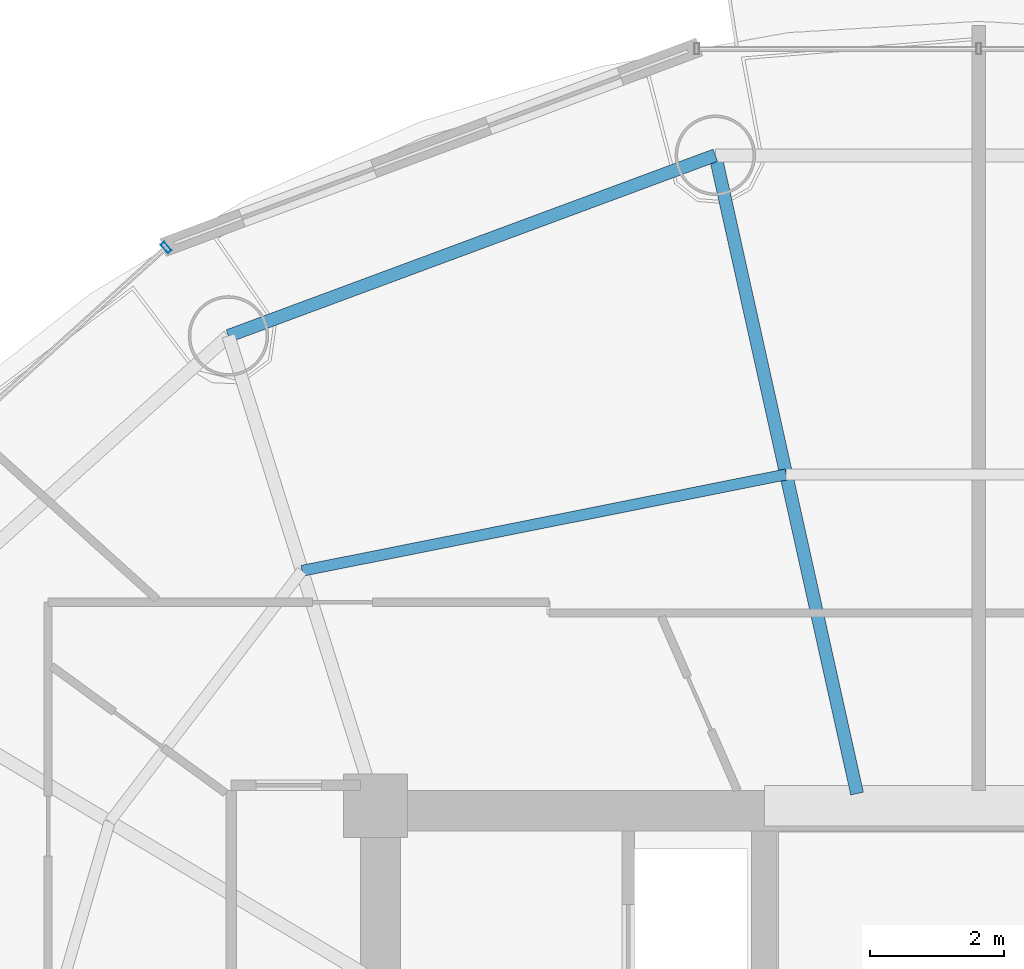
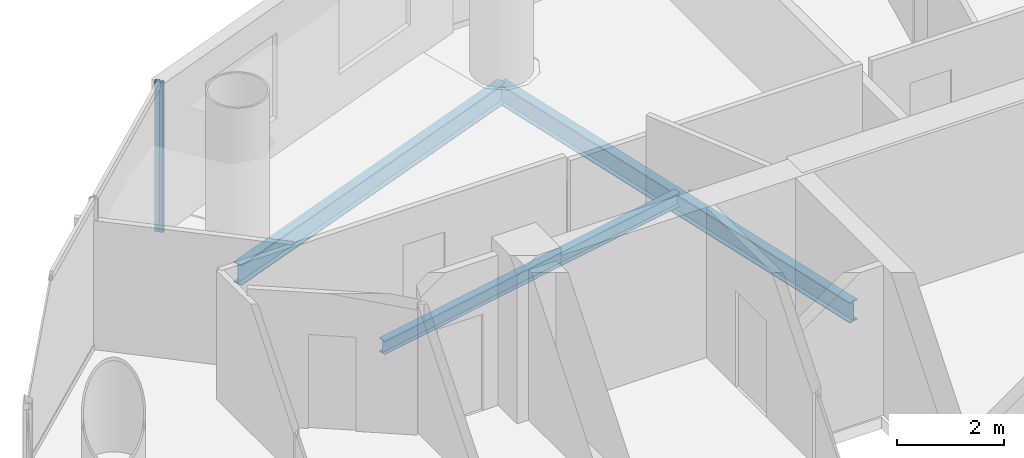
# One storey, part 15 of 27: 3 beams, 1 member, 1 element without a shape of its own.
"""IFC4 building model written with IfcOpenShell, lengths in metres."""

from ifc_helpers import new_model, si_unit, direction, frame, origin, origin_2d, place, context, subcontext, project, spatial, hollow_rectangle, i_section, extrude, source, transform, mapped, material, material_profile, profile_set, type_object, element, aggregate, save


model = new_model("IFC4")

# Units and contexts
model_context = context("Model", 3, precision=1e-05, world=origin(), true_north=direction((-0.2419218956, 0.970295726276)))
body_context = subcontext(model_context, "Body", "Model", "MODEL_VIEW")
ifc_project = project(units=[si_unit("LENGTHUNIT", "METRE"), si_unit("AREAUNIT", "SQUARE_METRE"), si_unit("VOLUMEUNIT", "CUBIC_METRE"), si_unit("PLANEANGLEUNIT", "RADIAN"), si_unit("MASSUNIT", "GRAM", prefix="KILO")], contexts=[model_context])

# Site, building, storey
site_placement = place(None, origin())
site = spatial("IfcSite", under=ifc_project, at=site_placement, CompositionType="ELEMENT")
building_placement = place(site_placement, origin())
building = spatial("IfcBuilding", under=site, at=building_placement, Name="Cobrevalo Terracotta Tower", CompositionType="ELEMENT")
storey_placement = place(building_placement, frame((0.0, 0.0, 194.89990234375)))
storey = spatial("IfcBuildingStorey", under=building, at=storey_placement, Name="L51", CompositionType="ELEMENT", Elevation=194.89990234375)

# Beams
ifc_material_1 = material(Name="Steel S355", Category="steel")
ifc_material_profile_1 = material_profile(ifc_material_1, i_section(OverallWidth=0.194091796875, OverallDepth=0.468994140625, WebThickness=0.011474609375, FlangeThickness=0.0205078125, at=origin_2d()), Name="W 460x106")
ifc_profile_set_1 = profile_set([ifc_material_profile_1], Name="Steel S355")
beam_type_1 = type_object("IfcBeamType", Name="Structural Beam W 460x106 (Steel S355)", PredefinedType="BEAM", material=ifc_profile_set_1)
beam_1_placement = place(storey_placement, frame((34.06884765625, 44.503173828125, -0.49951171875), z_axis=(0.216782061165, -0.976220025382, 0.0), x_axis=(0.976220025382, 0.216782061165, 0.0)))
element("IfcBeam", 1, at=beam_1_placement, inside=storey, type_object=beam_type_1, Name="L51 radial floor girder 05", PredefinedType="BEAM", context=body_context, shape_type="SweptSolid", body=[
    extrude(i_section(OverallWidth=0.194091796875, OverallDepth=0.468994140625, WebThickness=0.011474609375, FlangeThickness=0.0205078125, at=origin_2d()), origin(), (0.0, 0.0, 1.0), 9.755126953125),
])
ifc_material_profile_2 = material_profile(ifc_material_1, i_section(OverallWidth=0.1650390625, OverallDepth=0.31005859375, WebThickness=0.005859375, FlangeThickness=0.009765625, at=origin_2d()), Name="W 310x38.7")
ifc_profile_set_2 = profile_set([ifc_material_profile_2], Name="Steel S355")
beam_type_2 = type_object("IfcBeamType", Name="Structural Joist W 310x38.7 (Steel S355)", PredefinedType="JOIST", material=ifc_profile_set_2)
beam_2_placement = place(storey_placement, frame((35.126220703125, 39.74169921875, -0.419921875), z_axis=(-0.980762562197, -0.195204499418, 0.0), x_axis=(0.195204499418, -0.980762562197, 0.0)))
element("IfcBeam", 2, at=beam_2_placement, inside=storey, type_object=beam_type_2, Name="L51 circumferential secondary floor joist 05", PredefinedType="JOIST", context=body_context, shape_type="SweptSolid", body=[
    extrude(i_section(OverallWidth=0.1650390625, OverallDepth=0.31005859375, WebThickness=0.005859375, FlangeThickness=0.009765625, at=origin_2d()), origin(), (0.0, 0.0, 1.0), 7.365234375),
])
ifc_material_profile_3 = material_profile(ifc_material_1, i_section(OverallWidth=0.194091796875, OverallDepth=0.468994140625, WebThickness=0.011474609375, FlangeThickness=0.0205078125, at=origin_2d()), Name="W 460x106")
ifc_profile_set_3 = profile_set([ifc_material_profile_3], Name="Steel S355")
beam_type_3 = type_object("IfcBeamType", Name="Structural Spandrel W 460x106 (Steel S355)", PredefinedType="SPANDREL", material=ifc_profile_set_3)
beam_3_placement = place(storey_placement, frame((34.06884765625, 44.503173828125, -0.49951171875), z_axis=(-0.937545996665, -0.347861328892, 0.0), x_axis=(0.347861328892, -0.937545996665, 0.0)))
element("IfcBeam", 3, at=beam_3_placement, inside=storey, type_object=beam_type_3, Name="L51 perimeter ring spandrel 05", PredefinedType="SPANDREL", context=body_context, shape_type="SweptSolid", body=[
    extrude(i_section(OverallWidth=0.194091796875, OverallDepth=0.468994140625, WebThickness=0.011474609375, FlangeThickness=0.0205078125, at=origin_2d()), origin(), (0.0, 0.0, 1.0), 7.74755859375),
])

# Curtain wall, member
ifc_material_2 = material(Name="Anodized aluminium", Category="aluminium")
curtain_wall_type = type_object("IfcCurtainWallType", Name="Mid-tower high-wind unitised curtain wall CW-U2", PredefinedType="NOTDEFINED", material=ifc_material_2)
curtain_wall_placement = place(storey_placement, origin())
curtain_wall = element("IfcCurtainWall", 4, at=curtain_wall_placement, inside=storey, type_object=curtain_wall_type, Name="L51 curtain wall CW-L51-S06", PredefinedType="NOTDEFINED")
ifc_material_profile_4 = material_profile(ifc_material_2, hollow_rectangle(XDim=0.070068359375, YDim=0.169921875, WallThickness=0.00439453125, at=origin_2d()), Name="CWM 70x170")
ifc_profile_set_4 = profile_set([ifc_material_profile_4], Name="Anodized aluminium")
member_type = type_object("IfcMemberType", Name="Upper tower unitised mullion 70x170", PredefinedType="MULLION", material=ifc_profile_set_4)
shared_shape = source(origin(), body_context, "Body", "SweptSolid", [
    extrude(hollow_rectangle(XDim=0.070068359375, YDim=0.169921875, WallThickness=0.00439453125, at=origin_2d()), origin(), (0.0, 0.0, 1.0), 3.43505859375),
])
member_placement = place(storey_placement, frame((25.87548828125, 43.128173828125, 0.0), z_axis=(0.0, 0.0, 1.0), x_axis=(-0.741987542015, -0.670413668935, 0.0)))
member = element("IfcMember", 5, at=member_placement, type_object=member_type, Name="CW-L51-S06 vertical mullion 01", PredefinedType="MULLION", context=body_context, shape_type="MappedRepresentation", body=[
    mapped(shared_shape, transform((0.0, 0.0, 0.0), scale=1.0)),
])
aggregate(curtain_wall, [member])

save(model, "model.ifc")
